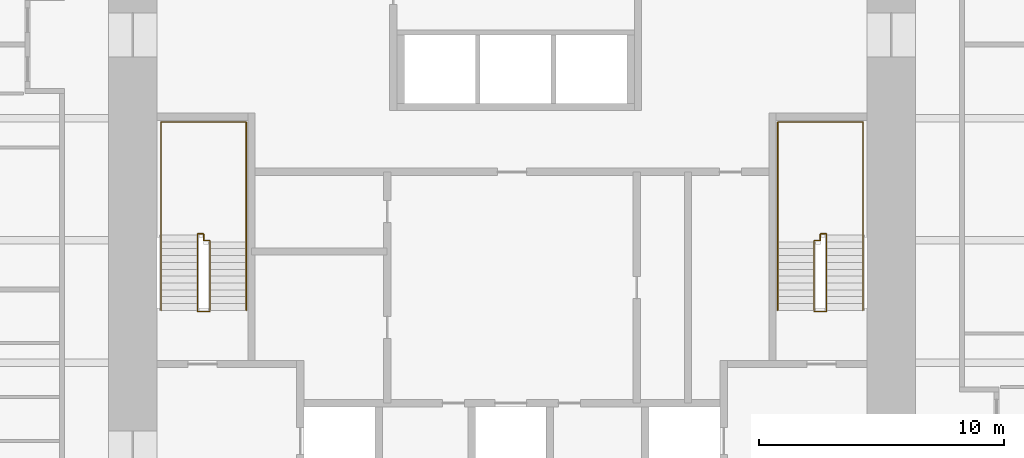
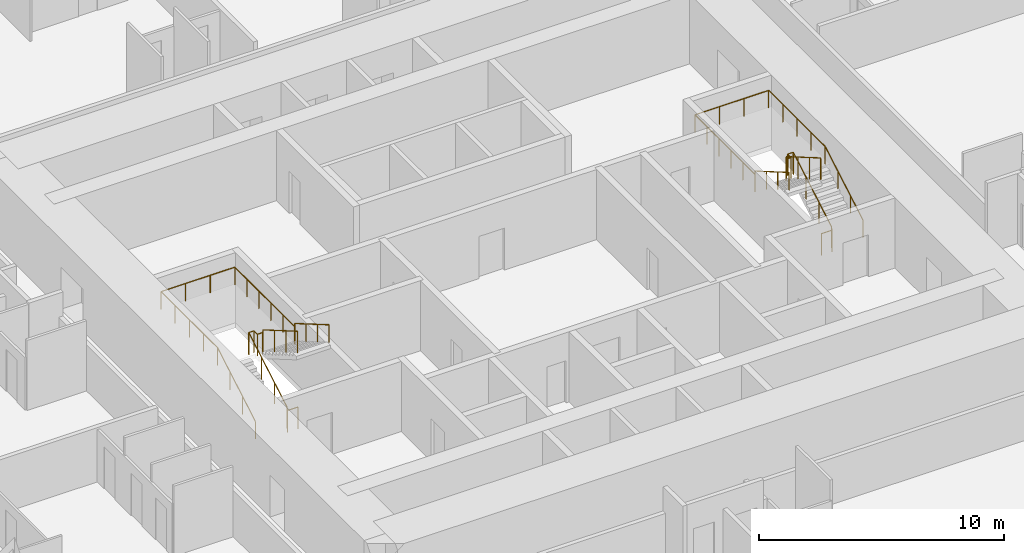
# One storey, part 17 of 17: 4 railings.
"""IFC4 building model written with IfcOpenShell, lengths in metres."""

from ifc_helpers import new_model, si_unit, direction, frame, origin, origin_2d, place, context, subcontext, project, spatial, circle, extrude, material, type_object, element, save


model = new_model("IFC4")

# Units and contexts
model_context = context("Model", 3, precision=1e-05, world=origin(), true_north=direction((0.0, 1.0)))
body_context = subcontext(model_context, "Body", "Model", "MODEL_VIEW")
ifc_project = project(units=[si_unit("LENGTHUNIT", "METRE"), si_unit("AREAUNIT", "SQUARE_METRE"), si_unit("VOLUMEUNIT", "CUBIC_METRE"), si_unit("PLANEANGLEUNIT", "RADIAN"), si_unit("MASSUNIT", "GRAM", prefix="KILO")], contexts=[model_context])

# Site, building, storey
site_placement = place(None, origin())
site = spatial("IfcSite", under=ifc_project, at=site_placement, CompositionType="ELEMENT")
building_placement = place(site_placement, origin())
building = spatial("IfcBuilding", under=site, at=building_placement, Name="Khuree Lantern Residences", CompositionType="ELEMENT")
storey_placement = place(building_placement, frame((0.0, 0.0, 88.5)))
storey = spatial("IfcBuildingStorey", under=building, at=storey_placement, Name="L22", CompositionType="ELEMENT", Elevation=88.5)

# Railings
ifc_material = material(Name="Steel S355", Category="steel")
railing_type_1 = type_object("IfcRailingType", Name="STAIR GUARD G1 1100", PredefinedType="GUARDRAIL", material=ifc_material)
railing_1_placement = place(storey_placement, frame((-12.35009765625, -2.909912109375, 0.0)))
element("IfcRailing", 1, at=railing_1_placement, inside=storey, type_object=railing_type_1, Name="Stair ST1 guard", PredefinedType="GUARDRAIL", context=body_context, shape_type="SweptSolid", body=[
    extrude(circle(Radius=0.02392578125, at=origin_2d()), frame((0.0, 0.0, 1.076171875), z_axis=(-1.0, 0.0, 0.0), x_axis=(0.0, -1.0, 0.0)), (0.0, 0.0, 1.0), 0.5),
    extrude(circle(Radius=0.02392578125, at=origin_2d()), frame((-0.5, 0.0, 1.076171875), z_axis=(0.0, 0.292073035251, 0.95639601739), x_axis=(-1.0, 0.0, 0.0)), (0.0, 0.0, 1.0), 0.17041015625),
    extrude(circle(Radius=0.02392578125, at=origin_2d()), frame((-0.5, 0.0498046875, 1.2392578125), z_axis=(0.0, 0.864176135923, 0.503189433615), x_axis=(-1.0, 0.0, 0.0)), (0.0, 0.0, 1.0), 3.564208984375),
    extrude(circle(Radius=0.02392578125, at=origin_2d()), frame((-0.5, 3.1298828125, 3.03271484375), z_axis=(0.0, 1.0, 0.0), x_axis=(-1.0, 0.0, 0.0)), (0.0, 0.0, 1.0), 0.050048828125),
    extrude(circle(Radius=0.02392578125, at=origin_2d()), frame((-0.5, 3.179931640625, 3.03271484375), z_axis=(1.0, 0.0, 0.0), x_axis=(0.0, 1.0, 0.0)), (0.0, 0.0, 1.0), 0.25),
    extrude(circle(Radius=0.02392578125, at=origin_2d()), frame((-0.25, 3.179931640625, 3.03271484375), z_axis=(0.0, -1.0, 0.0), x_axis=(1.0, 0.0, 0.0)), (0.0, 0.0, 1.0), 0.280029296875),
    extrude(circle(Radius=0.02392578125, at=origin_2d()), frame((-0.25, 2.89990234375, 3.03271484375), z_axis=(1.0, 0.0, 0.0), x_axis=(0.0, 1.0, 0.0)), (0.0, 0.0, 1.0), 0.25),
    extrude(circle(Radius=0.02392578125, at=origin_2d()), frame((0.0, 2.89990234375, 3.03271484375), z_axis=(0.0, -0.293381807449, 0.955995353053), x_axis=(1.0, 0.0, 0.0)), (0.0, 0.0, 1.0), 0.170654296875),
    extrude(circle(Radius=0.02392578125, at=origin_2d()), frame((0.0, 2.849853515625, 3.19580078125), z_axis=(0.0, -0.864180358799, 0.503182181189), x_axis=(1.0, 0.0, 0.0)), (0.0, 0.0, 1.0), 3.240234375),
    extrude(circle(Radius=0.02099609375, at=origin_2d()), origin(), (0.0, 0.0, 1.0), 1.052001953125),
    extrude(circle(Radius=0.02099609375, at=origin_2d()), frame((-0.5, 0.0, 0.0)), (0.0, 0.0, 1.0), 1.052001953125),
    extrude(circle(Radius=0.02099609375, at=origin_2d()), frame((-0.5, 0.0498046875, 0.1630859375)), (0.0, 0.0, 1.0), 1.052001953125),
    extrude(circle(Radius=0.02099609375, at=origin_2d()), frame((-0.5, 1.076416015625, 0.760986328125)), (0.0, 0.0, 1.0), 1.052001953125),
    extrude(circle(Radius=0.02099609375, at=origin_2d()), frame((-0.5, 2.103271484375, 1.358642578125)), (0.0, 0.0, 1.0), 1.052001953125),
    extrude(circle(Radius=0.02099609375, at=origin_2d()), frame((-0.5, 3.1298828125, 1.95654296875)), (0.0, 0.0, 1.0), 1.052001953125),
    extrude(circle(Radius=0.02099609375, at=origin_2d()), frame((-0.5, 3.179931640625, 1.95654296875)), (0.0, 0.0, 1.0), 1.052001953125),
    extrude(circle(Radius=0.02099609375, at=origin_2d()), frame((-0.25, 3.179931640625, 1.95654296875)), (0.0, 0.0, 1.0), 1.052001953125),
    extrude(circle(Radius=0.02099609375, at=origin_2d()), frame((-0.25, 2.89990234375, 1.95654296875)), (0.0, 0.0, 1.0), 1.052001953125),
    extrude(circle(Radius=0.02099609375, at=origin_2d()), frame((0.0, 2.89990234375, 1.95654296875)), (0.0, 0.0, 1.0), 1.052001953125),
    extrude(circle(Radius=0.02099609375, at=origin_2d()), frame((0.0, 2.849853515625, 2.11962890625)), (0.0, 0.0, 1.0), 1.052001953125),
    extrude(circle(Radius=0.02099609375, at=origin_2d()), frame((0.0, 1.91650390625, 2.6630859375)), (0.0, 0.0, 1.0), 1.052001953125),
    extrude(circle(Radius=0.02099609375, at=origin_2d()), frame((0.0, 0.983154296875, 3.20654296875)), (0.0, 0.0, 1.0), 1.052001953125),
    extrude(circle(Radius=0.02099609375, at=origin_2d()), frame((0.0, 0.0498046875, 3.75)), (0.0, 0.0, 1.0), 1.052001953125),
])
railing_2_placement = place(storey_placement, frame((12.35009765625, -2.909912109375, 0.0)))
element("IfcRailing", 2, at=railing_2_placement, inside=storey, type_object=railing_type_1, Name="Stair ST2 guard", PredefinedType="GUARDRAIL", context=body_context, shape_type="SweptSolid", body=[
    extrude(circle(Radius=0.02392578125, at=origin_2d()), frame((0.0, 0.0, 1.076171875), z_axis=(1.0, 0.0, 0.0), x_axis=(0.0, 1.0, 0.0)), (0.0, 0.0, 1.0), 0.5),
    extrude(circle(Radius=0.02392578125, at=origin_2d()), frame((0.5, 0.0, 1.076171875), z_axis=(0.0, 0.292073035251, 0.95639601739), x_axis=(-1.0, 0.0, 0.0)), (0.0, 0.0, 1.0), 0.17041015625),
    extrude(circle(Radius=0.02392578125, at=origin_2d()), frame((0.5, 0.0498046875, 1.2392578125), z_axis=(0.0, 0.864176135923, 0.503189433615), x_axis=(-1.0, 0.0, 0.0)), (0.0, 0.0, 1.0), 3.564208984375),
    extrude(circle(Radius=0.02392578125, at=origin_2d()), frame((0.5, 3.1298828125, 3.03271484375), z_axis=(0.0, 1.0, 0.0), x_axis=(-1.0, 0.0, 0.0)), (0.0, 0.0, 1.0), 0.050048828125),
    extrude(circle(Radius=0.02392578125, at=origin_2d()), frame((0.5, 3.179931640625, 3.03271484375), z_axis=(-1.0, 0.0, 0.0), x_axis=(0.0, -1.0, 0.0)), (0.0, 0.0, 1.0), 0.25),
    extrude(circle(Radius=0.02392578125, at=origin_2d()), frame((0.25, 3.179931640625, 3.03271484375), z_axis=(0.0, -1.0, 0.0), x_axis=(1.0, 0.0, 0.0)), (0.0, 0.0, 1.0), 0.280029296875),
    extrude(circle(Radius=0.02392578125, at=origin_2d()), frame((0.25, 2.89990234375, 3.03271484375), z_axis=(-1.0, 0.0, 0.0), x_axis=(0.0, -1.0, 0.0)), (0.0, 0.0, 1.0), 0.25),
    extrude(circle(Radius=0.02392578125, at=origin_2d()), frame((0.0, 2.89990234375, 3.03271484375), z_axis=(0.0, -0.293381807449, 0.955995353053), x_axis=(1.0, 0.0, 0.0)), (0.0, 0.0, 1.0), 0.170654296875),
    extrude(circle(Radius=0.02392578125, at=origin_2d()), frame((0.0, 2.849853515625, 3.19580078125), z_axis=(0.0, -0.864180358799, 0.503182181189), x_axis=(1.0, 0.0, 0.0)), (0.0, 0.0, 1.0), 3.240234375),
    extrude(circle(Radius=0.02099609375, at=origin_2d()), origin(), (0.0, 0.0, 1.0), 1.052001953125),
    extrude(circle(Radius=0.02099609375, at=origin_2d()), frame((0.5, 0.0, 0.0)), (0.0, 0.0, 1.0), 1.052001953125),
    extrude(circle(Radius=0.02099609375, at=origin_2d()), frame((0.5, 0.0498046875, 0.1630859375)), (0.0, 0.0, 1.0), 1.052001953125),
    extrude(circle(Radius=0.02099609375, at=origin_2d()), frame((0.5, 1.076416015625, 0.760986328125)), (0.0, 0.0, 1.0), 1.052001953125),
    extrude(circle(Radius=0.02099609375, at=origin_2d()), frame((0.5, 2.103271484375, 1.358642578125)), (0.0, 0.0, 1.0), 1.052001953125),
    extrude(circle(Radius=0.02099609375, at=origin_2d()), frame((0.5, 3.1298828125, 1.95654296875)), (0.0, 0.0, 1.0), 1.052001953125),
    extrude(circle(Radius=0.02099609375, at=origin_2d()), frame((0.5, 3.179931640625, 1.95654296875)), (0.0, 0.0, 1.0), 1.052001953125),
    extrude(circle(Radius=0.02099609375, at=origin_2d()), frame((0.25, 3.179931640625, 1.95654296875)), (0.0, 0.0, 1.0), 1.052001953125),
    extrude(circle(Radius=0.02099609375, at=origin_2d()), frame((0.25, 2.89990234375, 1.95654296875)), (0.0, 0.0, 1.0), 1.052001953125),
    extrude(circle(Radius=0.02099609375, at=origin_2d()), frame((0.0, 2.89990234375, 1.95654296875)), (0.0, 0.0, 1.0), 1.052001953125),
    extrude(circle(Radius=0.02099609375, at=origin_2d()), frame((0.0, 2.849853515625, 2.11962890625)), (0.0, 0.0, 1.0), 1.052001953125),
    extrude(circle(Radius=0.02099609375, at=origin_2d()), frame((0.0, 1.91650390625, 2.6630859375)), (0.0, 0.0, 1.0), 1.052001953125),
    extrude(circle(Radius=0.02099609375, at=origin_2d()), frame((0.0, 0.983154296875, 3.20654296875)), (0.0, 0.0, 1.0), 1.052001953125),
    extrude(circle(Radius=0.02099609375, at=origin_2d()), frame((0.0, 0.0498046875, 3.75)), (0.0, 0.0, 1.0), 1.052001953125),
])
railing_type_2 = type_object("IfcRailingType", Name="STAIR HANDRAIL H1 900", PredefinedType="HANDRAIL", material=ifc_material)
railing_3_placement = place(storey_placement, frame((-14.340087890625, -2.860107421875, 0.1630859375)))
element("IfcRailing", 3, at=railing_3_placement, inside=storey, type_object=railing_type_2, Name="Stair ST1 handrail", PredefinedType="HANDRAIL", context=body_context, shape_type="SweptSolid", body=[
    extrude(circle(Radius=0.02392578125, at=origin_2d()), frame((0.0, 0.0, 0.8759765625), z_axis=(0.0, 0.864176135923, 0.503189433615), x_axis=(-1.0, 0.0, 0.0)), (0.0, 0.0, 1.0), 3.564208984375),
    extrude(circle(Radius=0.02392578125, at=origin_2d()), frame((0.0, 3.080078125, 2.66943359375), z_axis=(0.0, 1.0, 0.0), x_axis=(-1.0, 0.0, 0.0)), (0.0, 0.0, 1.0), 4.6201171875),
    extrude(circle(Radius=0.02392578125, at=origin_2d()), frame((0.0, 7.7001953125, 2.66943359375), z_axis=(1.0, 0.0, 0.0), x_axis=(0.0, 1.0, 0.0)), (0.0, 0.0, 1.0), 3.47998046875),
    extrude(circle(Radius=0.02392578125, at=origin_2d()), frame((3.47998046875, 7.7001953125, 2.66943359375), z_axis=(0.0, -1.0, 0.0), x_axis=(1.0, 0.0, 0.0)), (0.0, 0.0, 1.0), 4.900146484375),
    extrude(circle(Radius=0.02392578125, at=origin_2d()), frame((3.47998046875, 2.800048828125, 2.66943359375), z_axis=(0.0, 0.0, 1.0), x_axis=(1.0, 0.0, 0.0)), (0.0, 0.0, 1.0), 0.1630859375),
    extrude(circle(Radius=0.02392578125, at=origin_2d()), frame((3.47998046875, 2.800048828125, 2.83251953125), z_axis=(0.0, -0.864180358799, 0.503182181189), x_axis=(1.0, 0.0, 0.0)), (0.0, 0.0, 1.0), 3.240234375),
    extrude(circle(Radius=0.02099609375, at=origin_2d()), origin(), (0.0, 0.0, 1.0), 0.851806640625),
    extrude(circle(Radius=0.02099609375, at=origin_2d()), frame((0.0, 1.026611328125, 0.597900390625)), (0.0, 0.0, 1.0), 0.851806640625),
    extrude(circle(Radius=0.02099609375, at=origin_2d()), frame((0.0, 2.053466796875, 1.195556640625)), (0.0, 0.0, 1.0), 0.851806640625),
    extrude(circle(Radius=0.02099609375, at=origin_2d()), frame((0.0, 3.080078125, 1.79345703125)), (0.0, 0.0, 1.0), 0.851806640625),
    extrude(circle(Radius=0.02099609375, at=origin_2d()), frame((0.0, 4.235107421875, 1.79345703125)), (0.0, 0.0, 1.0), 0.851806640625),
    extrude(circle(Radius=0.02099609375, at=origin_2d()), frame((0.0, 5.39013671875, 1.79345703125)), (0.0, 0.0, 1.0), 0.851806640625),
    extrude(circle(Radius=0.02099609375, at=origin_2d()), frame((0.0, 6.545166015625, 1.79345703125)), (0.0, 0.0, 1.0), 0.851806640625),
    extrude(circle(Radius=0.02099609375, at=origin_2d()), frame((0.0, 7.7001953125, 1.79345703125)), (0.0, 0.0, 1.0), 0.851806640625),
    extrude(circle(Radius=0.02099609375, at=origin_2d()), frame((1.159912109375, 7.7001953125, 1.79345703125)), (0.0, 0.0, 1.0), 0.851806640625),
    extrude(circle(Radius=0.02099609375, at=origin_2d()), frame((2.320068359375, 7.7001953125, 1.79345703125)), (0.0, 0.0, 1.0), 0.851806640625),
    extrude(circle(Radius=0.02099609375, at=origin_2d()), frame((3.47998046875, 7.7001953125, 1.79345703125)), (0.0, 0.0, 1.0), 0.851806640625),
    extrude(circle(Radius=0.02099609375, at=origin_2d()), frame((3.47998046875, 6.72021484375, 1.79345703125)), (0.0, 0.0, 1.0), 0.851806640625),
    extrude(circle(Radius=0.02099609375, at=origin_2d()), frame((3.47998046875, 5.740234375, 1.79345703125)), (0.0, 0.0, 1.0), 0.851806640625),
    extrude(circle(Radius=0.02099609375, at=origin_2d()), frame((3.47998046875, 4.760009765625, 1.79345703125)), (0.0, 0.0, 1.0), 0.851806640625),
    extrude(circle(Radius=0.02099609375, at=origin_2d()), frame((3.47998046875, 3.780029296875, 1.79345703125)), (0.0, 0.0, 1.0), 0.851806640625),
    extrude(circle(Radius=0.02099609375, at=origin_2d()), frame((3.47998046875, 2.800048828125, 1.79345703125)), (0.0, 0.0, 1.0), 0.851806640625),
    extrude(circle(Radius=0.02099609375, at=origin_2d()), frame((3.47998046875, 2.800048828125, 1.95654296875)), (0.0, 0.0, 1.0), 0.851806640625),
    extrude(circle(Radius=0.02099609375, at=origin_2d()), frame((3.47998046875, 1.86669921875, 2.5)), (0.0, 0.0, 1.0), 0.851806640625),
    extrude(circle(Radius=0.02099609375, at=origin_2d()), frame((3.47998046875, 0.933349609375, 3.04345703125)), (0.0, 0.0, 1.0), 0.851806640625),
    extrude(circle(Radius=0.02099609375, at=origin_2d()), frame((3.47998046875, 0.0, 3.5869140625)), (0.0, 0.0, 1.0), 0.851806640625),
])
railing_4_placement = place(storey_placement, frame((14.340087890625, -2.860107421875, 0.1630859375)))
element("IfcRailing", 4, at=railing_4_placement, inside=storey, type_object=railing_type_2, Name="Stair ST2 handrail", PredefinedType="HANDRAIL", context=body_context, shape_type="SweptSolid", body=[
    extrude(circle(Radius=0.02392578125, at=origin_2d()), frame((0.0, 0.0, 0.8759765625), z_axis=(0.0, 0.864176135923, 0.503189433615), x_axis=(-1.0, 0.0, 0.0)), (0.0, 0.0, 1.0), 3.564208984375),
    extrude(circle(Radius=0.02392578125, at=origin_2d()), frame((0.0, 3.080078125, 2.66943359375), z_axis=(0.0, 1.0, 0.0), x_axis=(-1.0, 0.0, 0.0)), (0.0, 0.0, 1.0), 4.6201171875),
    extrude(circle(Radius=0.02392578125, at=origin_2d()), frame((0.0, 7.7001953125, 2.66943359375), z_axis=(-1.0, 0.0, 0.0), x_axis=(0.0, -1.0, 0.0)), (0.0, 0.0, 1.0), 3.47998046875),
    extrude(circle(Radius=0.02392578125, at=origin_2d()), frame((-3.47998046875, 7.7001953125, 2.66943359375), z_axis=(0.0, -1.0, 0.0), x_axis=(1.0, 0.0, 0.0)), (0.0, 0.0, 1.0), 4.900146484375),
    extrude(circle(Radius=0.02392578125, at=origin_2d()), frame((-3.47998046875, 2.800048828125, 2.66943359375), z_axis=(0.0, 0.0, 1.0), x_axis=(1.0, 0.0, 0.0)), (0.0, 0.0, 1.0), 0.1630859375),
    extrude(circle(Radius=0.02392578125, at=origin_2d()), frame((-3.47998046875, 2.800048828125, 2.83251953125), z_axis=(0.0, -0.864180358799, 0.503182181189), x_axis=(1.0, 0.0, 0.0)), (0.0, 0.0, 1.0), 3.240234375),
    extrude(circle(Radius=0.02099609375, at=origin_2d()), origin(), (0.0, 0.0, 1.0), 0.851806640625),
    extrude(circle(Radius=0.02099609375, at=origin_2d()), frame((0.0, 1.026611328125, 0.597900390625)), (0.0, 0.0, 1.0), 0.851806640625),
    extrude(circle(Radius=0.02099609375, at=origin_2d()), frame((0.0, 2.053466796875, 1.195556640625)), (0.0, 0.0, 1.0), 0.851806640625),
    extrude(circle(Radius=0.02099609375, at=origin_2d()), frame((0.0, 3.080078125, 1.79345703125)), (0.0, 0.0, 1.0), 0.851806640625),
    extrude(circle(Radius=0.02099609375, at=origin_2d()), frame((0.0, 4.235107421875, 1.79345703125)), (0.0, 0.0, 1.0), 0.851806640625),
    extrude(circle(Radius=0.02099609375, at=origin_2d()), frame((0.0, 5.39013671875, 1.79345703125)), (0.0, 0.0, 1.0), 0.851806640625),
    extrude(circle(Radius=0.02099609375, at=origin_2d()), frame((0.0, 6.545166015625, 1.79345703125)), (0.0, 0.0, 1.0), 0.851806640625),
    extrude(circle(Radius=0.02099609375, at=origin_2d()), frame((0.0, 7.7001953125, 1.79345703125)), (0.0, 0.0, 1.0), 0.851806640625),
    extrude(circle(Radius=0.02099609375, at=origin_2d()), frame((-1.159912109375, 7.7001953125, 1.79345703125)), (0.0, 0.0, 1.0), 0.851806640625),
    extrude(circle(Radius=0.02099609375, at=origin_2d()), frame((-2.320068359375, 7.7001953125, 1.79345703125)), (0.0, 0.0, 1.0), 0.851806640625),
    extrude(circle(Radius=0.02099609375, at=origin_2d()), frame((-3.47998046875, 7.7001953125, 1.79345703125)), (0.0, 0.0, 1.0), 0.851806640625),
    extrude(circle(Radius=0.02099609375, at=origin_2d()), frame((-3.47998046875, 6.72021484375, 1.79345703125)), (0.0, 0.0, 1.0), 0.851806640625),
    extrude(circle(Radius=0.02099609375, at=origin_2d()), frame((-3.47998046875, 5.740234375, 1.79345703125)), (0.0, 0.0, 1.0), 0.851806640625),
    extrude(circle(Radius=0.02099609375, at=origin_2d()), frame((-3.47998046875, 4.760009765625, 1.79345703125)), (0.0, 0.0, 1.0), 0.851806640625),
    extrude(circle(Radius=0.02099609375, at=origin_2d()), frame((-3.47998046875, 3.780029296875, 1.79345703125)), (0.0, 0.0, 1.0), 0.851806640625),
    extrude(circle(Radius=0.02099609375, at=origin_2d()), frame((-3.47998046875, 2.800048828125, 1.79345703125)), (0.0, 0.0, 1.0), 0.851806640625),
    extrude(circle(Radius=0.02099609375, at=origin_2d()), frame((-3.47998046875, 2.800048828125, 1.95654296875)), (0.0, 0.0, 1.0), 0.851806640625),
    extrude(circle(Radius=0.02099609375, at=origin_2d()), frame((-3.47998046875, 1.86669921875, 2.5)), (0.0, 0.0, 1.0), 0.851806640625),
    extrude(circle(Radius=0.02099609375, at=origin_2d()), frame((-3.47998046875, 0.933349609375, 3.04345703125)), (0.0, 0.0, 1.0), 0.851806640625),
    extrude(circle(Radius=0.02099609375, at=origin_2d()), frame((-3.47998046875, 0.0, 3.5869140625)), (0.0, 0.0, 1.0), 0.851806640625),
])

save(model, "model.ifc")
